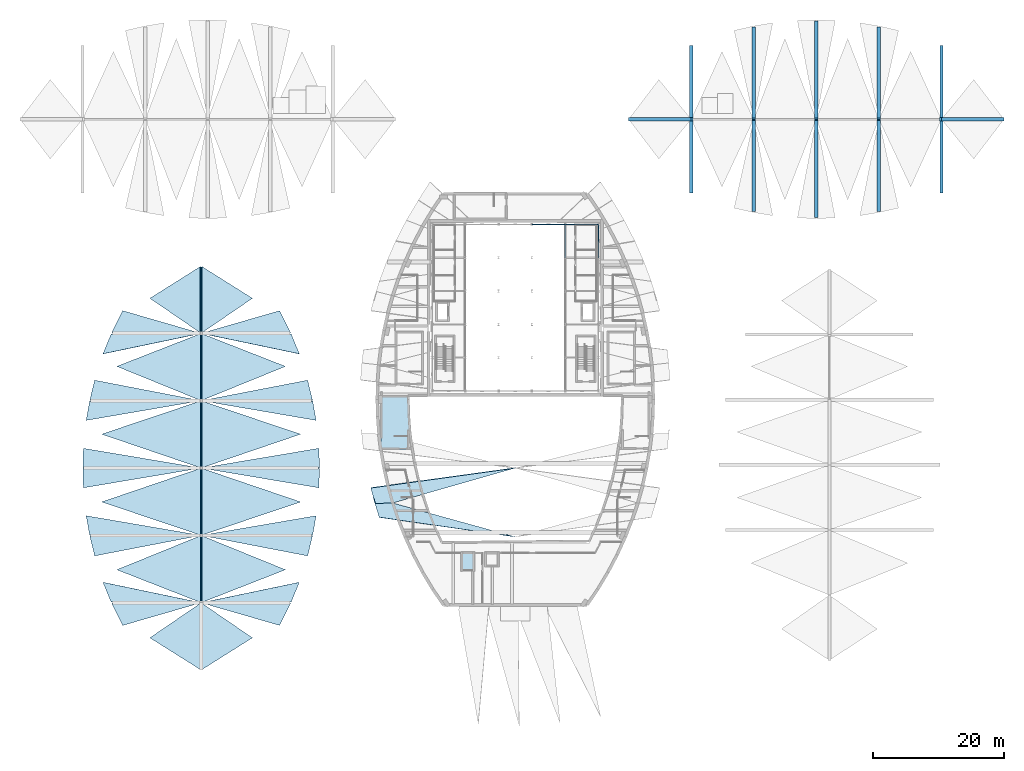
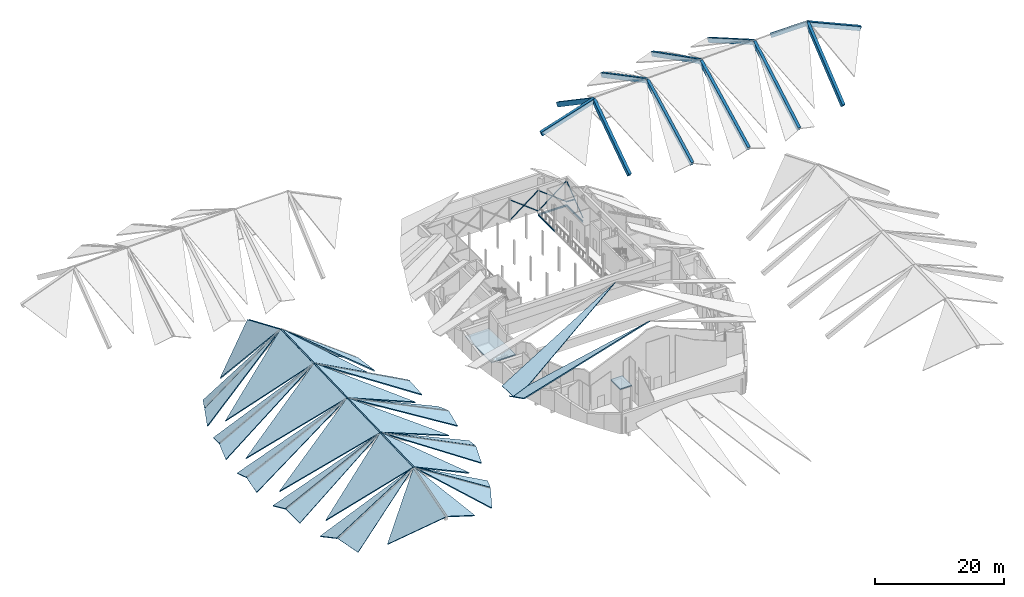
# One storey, part 7 of 17: 36 slabs, 15 beams, 8 members.
"""IFC4 building model written with IfcOpenShell, lengths in metres."""

from ifc_helpers import new_model, si_unit, direction, frame, origin, origin_2d, place, context, subcontext, project, spatial, polyline, rectangle, hollow_circle, i_section, outline, extrude, material, layer, layer_set, material_profile, profile_set, type_object, element, save


model = new_model("IFC4")

# Units and contexts
model_context = context("Model", 3, precision=1e-05, world=origin(), true_north=direction((0.0, 1.0)))
body_context = subcontext(model_context, "Body", "Model", "MODEL_VIEW")
ifc_project = project(units=[si_unit("LENGTHUNIT", "METRE"), si_unit("AREAUNIT", "SQUARE_METRE"), si_unit("VOLUMEUNIT", "CUBIC_METRE"), si_unit("PLANEANGLEUNIT", "RADIAN"), si_unit("MASSUNIT", "GRAM", prefix="KILO")], contexts=[model_context])

# Site, building, storey
site_placement = place(None, origin())
site = spatial("IfcSite", under=ifc_project, at=site_placement, CompositionType="ELEMENT")
building_placement = place(site_placement, origin())
building = spatial("IfcBuilding", under=site, at=building_placement, Name="Tide Square Theatres", CompositionType="ELEMENT")
storey_placement = place(building_placement, frame((0.0, 0.0, 14.800048828125)))
storey = spatial("IfcBuildingStorey", under=building, at=storey_placement, Name="L03", CompositionType="ELEMENT", Elevation=14.800048828125)

# Beams
ifc_material_1 = material(Name="Concrete C40", Category="concrete")
ifc_material_profile_1 = material_profile(ifc_material_1, rectangle(XDim=0.5, YDim=0.800048828125, at=origin_2d()))
ifc_profile_set_1 = profile_set([ifc_material_profile_1], Name="Concrete C40")
beam_type_1 = type_object("IfcBeamType", Name="RC roof rib 500 x 800", PredefinedType="BEAM", material=ifc_profile_set_1)
beam_1_placement = place(storey_placement, frame((110.88037109375, 86.758056640625, -2.626953125), z_axis=(0.0, 0.827229494575, 0.561864185819), x_axis=(-1.0, 0.0, 0.0)))
element("IfcBeam", 1, at=beam_1_placement, inside=storey, type_object=beam_type_1, Name="Roof rib rehearsal R1", PredefinedType="BEAM", context=body_context, shape_type="SweptSolid", body=[
    extrude(rectangle(XDim=0.5, YDim=0.800048828125, at=origin_2d()), origin(), (0.0, 0.0, 1.0), 13.3779296875),
])
beam_2_placement = place(storey_placement, frame((120.440185546875, 83.879638671875, -2.114013671875), z_axis=(0.0, 0.884723074021, 0.466117026394), x_axis=(-1.0, 0.0, 0.0)))
element("IfcBeam", 2, at=beam_2_placement, inside=storey, type_object=beam_type_1, Name="Roof rib rehearsal R2", PredefinedType="BEAM", context=body_context, shape_type="SweptSolid", body=[
    extrude(rectangle(XDim=0.5, YDim=0.800048828125, at=origin_2d()), origin(), (0.0, 0.0, 1.0), 15.718994140625),
])
beam_3_placement = place(storey_placement, frame((130.0, 82.962890625, -2.030517578125), z_axis=(0.0, 0.89112328825, 0.453761264476), x_axis=(-1.0, 0.0, 0.0)))
element("IfcBeam", 3, at=beam_3_placement, inside=storey, type_object=beam_type_1, Name="Roof rib rehearsal R3", PredefinedType="BEAM", context=body_context, shape_type="SweptSolid", body=[
    extrude(rectangle(XDim=0.5, YDim=0.800048828125, at=origin_2d()), origin(), (0.0, 0.0, 1.0), 16.629150390625),
])
beam_4_placement = place(storey_placement, frame((139.559814453125, 83.892822265625, -2.212890625), z_axis=(0.0, 0.866417696841, 0.499319912081), x_axis=(-1.0, 0.0, 0.0)))
element("IfcBeam", 4, at=beam_4_placement, inside=storey, type_object=beam_type_1, Name="Roof rib rehearsal R4", PredefinedType="BEAM", context=body_context, shape_type="SweptSolid", body=[
    extrude(rectangle(XDim=0.5, YDim=0.800048828125, at=origin_2d()), origin(), (0.0, 0.0, 1.0), 16.051025390625),
])
beam_5_placement = place(storey_placement, frame((149.11962890625, 86.78564453125, -2.902099609375), z_axis=(0.0, 0.775944845703, 0.630800758106), x_axis=(-1.0, 0.0, 0.0)))
element("IfcBeam", 5, at=beam_5_placement, inside=storey, type_object=beam_type_1, Name="Roof rib rehearsal R5", PredefinedType="BEAM", context=body_context, shape_type="SweptSolid", body=[
    extrude(rectangle(XDim=0.5, YDim=0.800048828125, at=origin_2d()), origin(), (0.0, 0.0, 1.0), 14.26220703125),
])
beam_6_placement = place(storey_placement, frame((110.88037109375, 108.842041015625, -2.626953125), z_axis=(0.0, -0.827229494575, 0.561864185819), x_axis=(1.0, 0.0, 0.0)))
element("IfcBeam", 6, at=beam_6_placement, inside=storey, type_object=beam_type_1, Name="Roof rib rehearsal L1", PredefinedType="BEAM", context=body_context, shape_type="SweptSolid", body=[
    extrude(rectangle(XDim=0.5, YDim=0.800048828125, at=origin_2d()), origin(), (0.0, 0.0, 1.0), 13.3779296875),
])
beam_7_placement = place(storey_placement, frame((120.440185546875, 111.720458984375, -2.114013671875), z_axis=(0.0, -0.884723074021, 0.466117026394), x_axis=(1.0, 0.0, 0.0)))
element("IfcBeam", 7, at=beam_7_placement, inside=storey, type_object=beam_type_1, Name="Roof rib rehearsal L2", PredefinedType="BEAM", context=body_context, shape_type="SweptSolid", body=[
    extrude(rectangle(XDim=0.5, YDim=0.800048828125, at=origin_2d()), origin(), (0.0, 0.0, 1.0), 15.718994140625),
])
beam_8_placement = place(storey_placement, frame((130.0, 112.63720703125, -2.030517578125), z_axis=(0.0, -0.89112328825, 0.453761264476), x_axis=(1.0, 0.0, 0.0)))
element("IfcBeam", 8, at=beam_8_placement, inside=storey, type_object=beam_type_1, Name="Roof rib rehearsal L3", PredefinedType="BEAM", context=body_context, shape_type="SweptSolid", body=[
    extrude(rectangle(XDim=0.5, YDim=0.800048828125, at=origin_2d()), origin(), (0.0, 0.0, 1.0), 16.629150390625),
])
beam_9_placement = place(storey_placement, frame((139.559814453125, 111.707275390625, -2.212890625), z_axis=(0.0, -0.866417696841, 0.499319912081), x_axis=(1.0, 0.0, 0.0)))
element("IfcBeam", 9, at=beam_9_placement, inside=storey, type_object=beam_type_1, Name="Roof rib rehearsal L4", PredefinedType="BEAM", context=body_context, shape_type="SweptSolid", body=[
    extrude(rectangle(XDim=0.5, YDim=0.800048828125, at=origin_2d()), origin(), (0.0, 0.0, 1.0), 16.051025390625),
])
beam_10_placement = place(storey_placement, frame((149.11962890625, 108.814453125, -2.902099609375), z_axis=(0.0, -0.775944845703, 0.630800758106), x_axis=(1.0, 0.0, 0.0)))
element("IfcBeam", 10, at=beam_10_placement, inside=storey, type_object=beam_type_1, Name="Roof rib rehearsal L5", PredefinedType="BEAM", context=body_context, shape_type="SweptSolid", body=[
    extrude(rectangle(XDim=0.5, YDim=0.800048828125, at=origin_2d()), origin(), (0.0, 0.0, 1.0), 14.26220703125),
])
ifc_material_2 = material(Name="Concrete C40", Category="concrete")
ifc_material_profile_2 = material_profile(ifc_material_2, rectangle(XDim=0.5, YDim=0.800048828125, at=origin_2d()))
ifc_profile_set_2 = profile_set([ifc_material_profile_2], Name="Concrete C40")
beam_type_2 = type_object("IfcBeamType", Name="RC roof ridge beam 500 x 800", PredefinedType="BEAM", material=ifc_profile_set_2)
beam_11_placement = place(storey_placement, frame((101.44287109375, 97.800048828125, 1.81298828125), z_axis=(0.951554137263, 0.0, 0.307481257735), x_axis=(0.0, 1.0, 0.0)))
element("IfcBeam", 11, at=beam_11_placement, inside=storey, type_object=beam_type_2, Name="Ridge beam rehearsal", PredefinedType="BEAM", context=body_context, shape_type="SweptSolid", body=[
    extrude(rectangle(XDim=0.5, YDim=0.800048828125, at=origin_2d()), origin(), (0.0, 0.0, 1.0), 10.04736328125),
])
beam_12_placement = place(storey_placement, frame((148.957763671875, 97.800048828125, 6.04736328125), z_axis=(0.914256751712, 0.0, -0.40513527611), x_axis=(0.0, 1.0, 0.0)))
element("IfcBeam", 12, at=beam_12_placement, inside=storey, type_object=beam_type_2, Name="Ridge beam rehearsal", PredefinedType="BEAM", context=body_context, shape_type="SweptSolid", body=[
    extrude(rectangle(XDim=0.5, YDim=0.800048828125, at=origin_2d()), origin(), (0.0, 0.0, 1.0), 10.457275390625),
])
ifc_material_3 = material(Name="Steel ASTM A572 Grade 50", Category="steel")
ifc_material_profile_3 = material_profile(ifc_material_3, i_section(OverallWidth=0.1650390625, OverallDepth=0.31005859375, WebThickness=0.005859375, FlangeThickness=0.009765625, FilletRadius=0.010009765625, at=origin_2d()))
ifc_profile_set_3 = profile_set([ifc_material_profile_3], Name="Steel ASTM A572 Grade 50")
beam_type_3 = type_object("IfcBeamType", Name="Steel beam W 310 x 38.7", PredefinedType="BEAM", material=ifc_profile_set_3)
for number, where, z_axis, x_axis, name in (
    (13, (91.634521484375, 76.634521484375, -0.35498046875), (0.0, 1.0, 0.0), (-1.0, 0.0, 0.0), "Fly gallery beam"),
    (14, (96.72412109375, 76.634521484375, -0.35498046875), (0.0, 1.0, 0.0), (-1.0, 0.0, 0.0), "Fly gallery beam"),
    (15, (91.634521484375, 81.72412109375, -0.35498046875), (1.0, 0.0, 0.0), (0.0, 1.0, 0.0), "Fly gallery cross beam"),
):
    element("IfcBeam", number, at=place(storey_placement, frame(where, z_axis=z_axis, x_axis=x_axis)), inside=storey, type_object=beam_type_3, Name=name, PredefinedType="BEAM", context=body_context, shape_type="SweptSolid", body=[
        extrude(i_section(OverallWidth=0.1650390625, OverallDepth=0.31005859375, WebThickness=0.005859375, FlangeThickness=0.009765625, FilletRadius=0.010009765625, at=origin_2d()), origin(), (0.0, 0.0, 1.0), 5.089599609375),
    ])

# Members
ifc_material_4 = material(Name="Steel ASTM A500 Grade C", Category="steel")
ifc_material_profile_4 = material_profile(ifc_material_4, hollow_circle(Radius=0.084228515625, WallThickness=0.008056640625, at=origin_2d()))
ifc_profile_set_4 = profile_set([ifc_material_profile_4], Name="Steel ASTM A500 Grade C")
member_type = type_object("IfcMemberType", Name="Steel brace CHS 168.3 x 8.0", PredefinedType="BRACE", material=ifc_profile_set_4)
member_1_placement = place(storey_placement, frame((86.544921875, 81.72412109375, 0.349853515625), z_axis=(0.793747901786, 0.0, 0.608246881135), x_axis=(0.0, 1.0, 0.0)))
element("IfcMember", 16, at=member_1_placement, inside=storey, type_object=member_type, Name="Fly tower brace", PredefinedType="BRACE", context=body_context, shape_type="SweptSolid", body=[
    extrude(hollow_circle(Radius=0.084228515625, WallThickness=0.008056640625, at=origin_2d()), origin(), (0.0, 0.0, 1.0), 6.412109375),
])
for number, where, z_axis, x_axis, name in (
    (17, (91.634521484375, 81.72412109375, 0.349853515625), (-0.793761905618, 0.0, 0.608228606027), (0.0, -1.0, 0.0), "Fly tower brace"),
    (18, (89.0107421875, 81.72412109375, 2.3603515625), (-0.793732831925, 0.0, 0.608266546445), (0.0, -1.0, 0.0), "Fly tower brace"),
):
    element("IfcMember", number, at=place(storey_placement, frame(where, z_axis=z_axis, x_axis=x_axis)), inside=storey, type_object=member_type, Name=name, PredefinedType="BRACE", context=body_context, shape_type="SweptSolid", body=[
        extrude(hollow_circle(Radius=0.084228515625, WallThickness=0.008056640625, at=origin_2d()), origin(), (0.0, 0.0, 1.0), 3.106689453125),
    ])
member_2_placement = place(storey_placement, frame((91.634521484375, 81.72412109375, 0.349853515625), z_axis=(0.793747901786, 0.0, 0.608246881135), x_axis=(0.0, 1.0, 0.0)))
element("IfcMember", 19, at=member_2_placement, inside=storey, type_object=member_type, Name="Fly tower brace", PredefinedType="BRACE", context=body_context, shape_type="SweptSolid", body=[
    extrude(hollow_circle(Radius=0.084228515625, WallThickness=0.008056640625, at=origin_2d()), origin(), (0.0, 0.0, 1.0), 6.412109375),
])
for number, where, z_axis, x_axis, name in (
    (20, (96.72412109375, 81.72412109375, 0.349853515625), (-0.793761905618, 0.0, 0.608228606027), (0.0, -1.0, 0.0), "Fly tower brace"),
    (21, (94.100341796875, 81.72412109375, 2.3603515625), (-0.793732831925, 0.0, 0.608266546445), (0.0, -1.0, 0.0), "Fly tower brace"),
):
    element("IfcMember", number, at=place(storey_placement, frame(where, z_axis=z_axis, x_axis=x_axis)), inside=storey, type_object=member_type, Name=name, PredefinedType="BRACE", context=body_context, shape_type="SweptSolid", body=[
        extrude(hollow_circle(Radius=0.084228515625, WallThickness=0.008056640625, at=origin_2d()), origin(), (0.0, 0.0, 1.0), 3.106689453125),
    ])
member_3_placement = place(storey_placement, frame((96.72412109375, 76.634521484375, 0.349853515625), z_axis=(0.0, 0.793747901786, 0.608246881135), x_axis=(-1.0, 0.0, 0.0)))
element("IfcMember", 22, at=member_3_placement, inside=storey, type_object=member_type, Name="Fly tower brace", PredefinedType="BRACE", context=body_context, shape_type="SweptSolid", body=[
    extrude(hollow_circle(Radius=0.084228515625, WallThickness=0.008056640625, at=origin_2d()), origin(), (0.0, 0.0, 1.0), 6.412109375),
])
member_4_placement = place(storey_placement, frame((96.72412109375, 81.72412109375, 0.349853515625), z_axis=(0.0, -0.793761905618, 0.608228606027), x_axis=(1.0, 0.0, 0.0)))
element("IfcMember", 23, at=member_4_placement, inside=storey, type_object=member_type, Name="Fly tower brace", PredefinedType="BRACE", context=body_context, shape_type="SweptSolid", body=[
    extrude(hollow_circle(Radius=0.084228515625, WallThickness=0.008056640625, at=origin_2d()), origin(), (0.0, 0.0, 1.0), 3.106689453125),
])

# Slabs
ifc_material_5 = material(Name="Concrete C40", Category="concrete")
ifc_layer = layer(ifc_material_5, 0.199951171875)
ifc_layer_set = layer_set([ifc_layer], Name="Concrete C40")
slab_type = type_object("IfcSlabType", Name="RC roof slab 200", PredefinedType="ROOF", material=ifc_layer_set)
slab_1_placement = place(storey_placement, frame((0.0, 0.0, 2.23193359375)))
element("IfcSlab", 24, at=slab_1_placement, inside=storey, type_object=slab_type, Name="Main Theatre stair 3 head cover", PredefinedType="ROOF", context=body_context, shape_type="SweptSolid", body=[
    extrude(outline(polyline([(67.75, 47.35009765625), (67.75, 55.550048828125), (63.449951171875, 55.550048828125), (63.449951171875, 47.35009765625), (67.75, 47.35009765625)])), origin(), (0.0, 0.0, 1.0), 0.199951171875),
])
slab_2_placement = place(storey_placement, frame((0.0, 0.0, 4.199951171875)))
element("IfcSlab", 25, at=slab_2_placement, inside=storey, type_object=slab_type, Name="Main Theatre lift 1 overrun cover", PredefinedType="ROOF", context=body_context, shape_type="SweptSolid", body=[
    extrude(outline(polyline([(75.699951171875, 28.699951171875), (77.800048828125, 28.699951171875), (77.800048828125, 31.699951171875), (75.699951171875, 31.699951171875), (75.699951171875, 28.699951171875)])), origin(), (0.0, 0.0, 1.0), 0.199951171875),
])
slab_3_placement = place(storey_placement, frame((63.203857421875, 36.976318359375, 1.993896484375), z_axis=(-0.37525711257, 0.187021017121, 0.907857499072), x_axis=(0.9065723659, -0.130045305354, 0.401515583685)))
element("IfcSlab", 26, at=slab_3_placement, inside=storey, type_object=slab_type, Name="Roof plate main-P036", PredefinedType="ROOF", context=body_context, shape_type="SweptSolid", body=[
    extrude(outline(polyline([(0.0, 0.0), (22.93929228416666, -2.220446049250313e-16), (1.7567923258784863, 2.4791906815925815), (-1.1271936087778216, 2.0170179055236694), (-1.5808955957671817, 2.869843383098181), (-1.6394618866973165, 2.876581958921946), (0.0, 0.0)])), origin(), (0.0, 0.0, -1.0), 0.199951171875),
])
slab_4_placement = place(storey_placement, frame((65.275390625, 39.161865234375, 2.39990234375), z_axis=(-0.338972301483, -0.386358856644, 0.857802199065), x_axis=(0.859006876979, 0.244736510805, 0.449679025064)))
element("IfcSlab", 27, at=slab_4_placement, inside=storey, type_object=slab_type, Name="Roof plate main-P037", PredefinedType="ROOF", context=body_context, shape_type="SweptSolid", body=[
    extrude(outline(polyline([(0.0, 0.0), (21.798032663737413, 0.0), (-2.4587281986904888, 3.2509730877770022), (-2.836544528929234, 0.6964148717375012), (0.0, 0.0)])), origin(), (0.0, 0.0, -1.0), 0.199951171875),
])
slab_5_placement = place(storey_placement, frame((47.988525390625, 20.449951171875, -3.4169921875), z_axis=(0.468672272874, -0.485749990862, 0.737830093596), x_axis=(0.426702133346, 0.855823775735, 0.29238836209)))
element("IfcSlab", 28, at=slab_5_placement, inside=storey, type_object=slab_type, Name="Roof plate studio-P004", PredefinedType="ROOF", context=body_context, shape_type="SweptSolid", body=[
    extrude(outline(polyline([(0.0, 0.0), (3.935296047348664, -2.220446049250313e-16), (0.7265968441241593, 15.444831282415933), (0.0, 0.0)])), origin(), (0.0, 0.0, -1.0), 0.199951171875),
])
slab_6_placement = place(storey_placement, frame((43.84228515625, 18.560546875, -2.199951171875), z_axis=(0.651595975269, -0.221753880571, 0.72542946002), x_axis=(-0.609400999049, 0.416455552516, 0.674681550909)))
element("IfcSlab", 29, at=slab_6_placement, inside=storey, type_object=slab_type, Name="Roof plate studio-P005", PredefinedType="ROOF", context=body_context, shape_type="SweptSolid", body=[
    extrude(outline(polyline([(0.0, 0.0), (12.644492572658098, -8.881784197001252e-16), (6.348356063396421, 8.49387159074055), (0.0, 0.0)])), origin(), (0.0, 0.0, -1.0), 0.199951171875),
])
slab_7_placement = place(storey_placement, frame((51.00927734375, 27.05322265625, -3.302001953125), z_axis=(0.534953029003, 0.067392992864, 0.842189670605), x_axis=(-0.825191160696, -0.172274974231, 0.537941336544)))
element("IfcSlab", 30, at=slab_7_placement, inside=storey, type_object=slab_type, Name="Roof plate studio-P006", PredefinedType="ROOF", context=body_context, shape_type="SweptSolid", body=[
    extrude(outline(polyline([(0.0, 0.0), (17.596834097062573, -2.7755575615628914e-16), (2.1096467530396272, 2.7149119568658784), (0.0, 0.0)])), origin(), (0.0, 0.0, -1.0), 0.199951171875),
])
slab_8_placement = place(storey_placement, frame((52.271484375, 31.071533203125, -2.81201171875), z_axis=(0.413081699486, -0.384474291049, 0.82555619377), x_axis=(0.224205609058, 0.921546126629, 0.316993030463)))
element("IfcSlab", 31, at=slab_8_placement, inside=storey, type_object=slab_type, Name="Roof plate studio-P009", PredefinedType="ROOF", context=body_context, shape_type="SweptSolid", body=[
    extrude(outline(polyline([(0.0, 0.0), (3.317920936507632, 0.0), (2.22930292563222, 18.52642617951288), (0.0, 0.0)])), origin(), (0.0, 0.0, -1.0), 0.199951171875),
])
slab_9_placement = place(storey_placement, frame((48.8974609375, 28.963623046875, -2.199951171875), z_axis=(0.564910395491, -0.024747382177, 0.824781069219), x_axis=(-0.77815830289, 0.316529143457, 0.542474844564)))
element("IfcSlab", 32, at=slab_9_placement, inside=storey, type_object=slab_type, Name="Roof plate studio-P010", PredefinedType="ROOF", context=body_context, shape_type="SweptSolid", body=[
    extrude(outline(polyline([(0.0, 0.0), (16.42186242347185, 8.881784197001252e-16), (13.028801385626348, 9.618997535858414), (0.0, 0.0)])), origin(), (0.0, 0.0, -1.0), 0.199951171875),
])
slab_10_placement = place(storey_placement, frame((53.572265625, 37.22021484375, -2.776123046875), z_axis=(0.436076925985, 0.224284473177, 0.871512128266), x_axis=(-0.868488221107, -0.148785921441, 0.472854057167)))
element("IfcSlab", 33, at=slab_10_placement, inside=storey, type_object=slab_type, Name="Roof plate studio-P011", PredefinedType="ROOF", context=body_context, shape_type="SweptSolid", body=[
    extrude(outline(polyline([(0.0, 0.0), (19.69062308865556, 6.661338147750939e-16), (1.370313892754715, 2.8302435776794734), (0.0, 0.0)])), origin(), (0.0, 0.0, -1.0), 0.199951171875),
])
slab_11_placement = place(storey_placement, frame((54.002685546875, 41.474853515625, -2.70556640625), z_axis=(0.414457586725, -0.308595336513, 0.856150586689), x_axis=(0.028122855545, 0.944647496788, 0.326879506558)))
element("IfcSlab", 34, at=slab_11_placement, inside=storey, type_object=slab_type, Name="Roof plate studio-P014", PredefinedType="ROOF", context=body_context, shape_type="SweptSolid", body=[
    extrude(outline(polyline([(0.0, 0.0), (3.1339195084042943, 5.551115123125783e-17), (5.437694222697501, 19.53545161106389), (0.0, 0.0)])), origin(), (0.0, 0.0, -1.0), 0.199951171875),
])
slab_12_placement = place(storey_placement, frame((51.2119140625, 39.324462890625, -2.199951171875), z_axis=(0.515051438965, -0.025714055191, 0.856773483825), x_axis=(-0.819364430149, 0.278768003326, 0.500929467019)))
element("IfcSlab", 35, at=slab_12_placement, inside=storey, type_object=slab_type, Name="Roof plate studio-P015", PredefinedType="ROOF", context=body_context, shape_type="SweptSolid", body=[
    extrude(outline(polyline([(0.0, 0.0), (18.43350676434998, 0.0), (15.431717315673602, 9.770937298625919), (0.0, 0.0)])), origin(), (0.0, 0.0, -1.0), 0.199951171875),
])
slab_13_placement = place(storey_placement, frame((54.002685546875, 47.525146484375, -2.70556640625), z_axis=(0.414457586725, 0.308595336513, 0.856150586689), x_axis=(-0.868777895342, -0.145992249985, 0.473192594521)))
element("IfcSlab", 36, at=slab_13_placement, inside=storey, type_object=slab_type, Name="Roof plate studio-P016", PredefinedType="ROOF", context=body_context, shape_type="SweptSolid", body=[
    extrude(outline(polyline([(0.0, 0.0), (20.27812585294254, -4.440892098500626e-16), (0.8403782543235462, 3.019141579127604), (0.0, 0.0)])), origin(), (0.0, 0.0, -1.0), 0.199951171875),
])
slab_14_placement = place(storey_placement, frame((53.572265625, 51.77978515625, -2.888671875), z_axis=(0.466381800904, -0.213779901153, 0.858362493151), x_axis=(-0.166362084127, 0.93184513789, 0.32247216307)))
element("IfcSlab", 37, at=slab_14_placement, inside=storey, type_object=slab_type, Name="Roof plate studio-P019", PredefinedType="ROOF", context=body_context, shape_type="SweptSolid", body=[
    extrude(outline(polyline([(0.0, 0.0), (3.1434399340026937, 0.0), (8.805342228314327, 17.994958759889695), (0.0, 0.0)])), origin(), (0.0, 0.0, -1.0), 0.199951171875),
])
slab_15_placement = place(storey_placement, frame((51.2119140625, 49.675537109375, -2.199951171875), z_axis=(0.52772761867, -0.025465679342, 0.849031836664), x_axis=(-0.813242297613, 0.273434217083, 0.513683457298)))
element("IfcSlab", 38, at=slab_15_placement, inside=storey, type_object=slab_type, Name="Roof plate studio-P020", PredefinedType="ROOF", context=body_context, shape_type="SweptSolid", body=[
    extrude(outline(polyline([(0.0, 0.0), (18.568972940881707, 2.220446049250313e-16), (15.618360819276408, 9.784721530128259), (0.0, 0.0)])), origin(), (0.0, 0.0, -1.0), 0.199951171875),
])
slab_16_placement = place(storey_placement, frame((52.271484375, 57.928466796875, -2.927490234375), z_axis=(0.440372025055, 0.386192999497, 0.810510608622), x_axis=(-0.833124674026, -0.160694025395, 0.529226518357)))
element("IfcSlab", 39, at=slab_16_placement, inside=storey, type_object=slab_type, Name="Roof plate studio-P021", PredefinedType="ROOF", context=body_context, shape_type="SweptSolid", body=[
    extrude(outline(polyline([(0.0, 0.0), (19.026053018163648, 4.440892098500626e-16), (0.42888141359849363, 3.2901153708493247), (0.0, 0.0)])), origin(), (0.0, 0.0, -1.0), 0.199951171875),
])
slab_17_placement = place(storey_placement, frame((51.00927734375, 61.94677734375, -3.61962890625), z_axis=(0.599400703683, -0.023656272844, 0.800099479552), x_axis=(-0.363501823913, 0.882505602244, 0.298412945463)))
element("IfcSlab", 40, at=slab_17_placement, inside=storey, type_object=slab_type, Name="Roof plate studio-P024", PredefinedType="ROOF", context=body_context, shape_type="SweptSolid", body=[
    extrude(outline(polyline([(0.0, 0.0), (3.4320559394168932, 1.1102230246251565e-16), (11.21705304543956, 14.626799572973688), (0.0, 0.0)])), origin(), (0.0, 0.0, -1.0), 0.199951171875),
])
slab_18_placement = place(storey_placement, frame((48.8974609375, 60.036376953125, -2.199951171875), z_axis=(0.603494174624, -0.023910455807, 0.797008827616), x_axis=(-0.757188419476, 0.296106717942, 0.582225479519)))
element("IfcSlab", 41, at=slab_18_placement, inside=storey, type_object=slab_type, Name="Roof plate studio-P025", PredefinedType="ROOF", context=body_context, shape_type="SweptSolid", body=[
    extrude(outline(polyline([(0.0, 0.0), (16.86601594086969, 4.440892098500626e-16), (13.671101888083875, 9.679668603867787), (0.0, 0.0)])), origin(), (0.0, 0.0, -1.0), 0.199951171875),
])
slab_19_placement = place(storey_placement, frame((47.988525390625, 68.550048828125, -3.7529296875), z_axis=(0.519966346613, 0.497892087448, 0.694073820027), x_axis=(-0.707253792906, -0.204694626494, 0.676677310321)))
element("IfcSlab", 42, at=slab_19_placement, inside=storey, type_object=slab_type, Name="Roof plate studio-P026", PredefinedType="ROOF", context=body_context, shape_type="SweptSolid", body=[
    extrude(outline(polyline([(0.0, 0.0), (16.440267302728294, -4.440892098500626e-16), (0.2849924771889716, 3.9240033014835944), (0.0, 0.0)])), origin(), (0.0, 0.0, -1.0), 0.199951171875),
])
slab_20_placement = place(storey_placement, frame((43.84228515625, 70.439453125, -2.199951171875), z_axis=(0.667280673396, 0.291706432697, 0.685305669052), x_axis=(-0.726643674526, 0.456927767695, 0.513036046862)))
element("IfcSlab", 43, at=slab_20_placement, inside=storey, type_object=slab_type, Name="Roof plate studio-P030", PredefinedType="ROOF", context=body_context, shape_type="SweptSolid", body=[
    extrude(outline(polyline([(0.0, 0.0), (10.59962221857955, 0.0), (8.18867724359619, 10.716330380974727), (0.0, 0.0)])), origin(), (0.0, 0.0, -1.0), 0.199951171875),
])
slab_21_placement = place(storey_placement, frame((24.011474609375, 20.449951171875, -3.4169921875), z_axis=(-0.468672272874, -0.485749990862, 0.737830093596), x_axis=(0.752573785865, 0.217820388905, 0.621439437923)))
element("IfcSlab", 44, at=slab_21_placement, inside=storey, type_object=slab_type, Name="Roof plate studio-P034", PredefinedType="ROOF", context=body_context, shape_type="SweptSolid", body=[
    extrude(outline(polyline([(0.0, 0.0), (15.461913087201888, 0.0), (0.18493013591342522, 3.930948463807311), (0.0, 0.0)])), origin(), (0.0, 0.0, -1.0), 0.199951171875),
])
slab_22_placement = place(storey_placement, frame((28.15771484375, 18.560546875, -2.199951171875), z_axis=(-0.651595975269, -0.221753880571, 0.72542946002), x_axis=(0.726657407857, -0.456917904959, 0.51302537923)))
element("IfcSlab", 45, at=slab_22_placement, inside=storey, type_object=slab_type, Name="Roof plate studio-P035", PredefinedType="ROOF", context=body_context, shape_type="SweptSolid", body=[
    extrude(outline(polyline([(0.0, 0.0), (10.60412557958701, 0.0), (7.56985953153257, 10.128199202862833), (0.0, 0.0)])), origin(), (0.0, 0.0, -1.0), 0.199951171875),
])
slab_23_placement = place(storey_placement, frame((20.99072265625, 27.05322265625, -3.302001953125), z_axis=(-0.534953029003, 0.067392992864, 0.842189670605), x_axis=(0.363134173503, -0.881704542899, 0.301215323426)))
element("IfcSlab", 46, at=slab_23_placement, inside=storey, type_object=slab_type, Name="Roof plate studio-P036", PredefinedType="ROOF", context=body_context, shape_type="SweptSolid", body=[
    extrude(outline(polyline([(0.0, 0.0), (3.4382199400480404, 5.551115123125783e-17), (10.797187080511884, 13.894938696805077), (0.0, 0.0)])), origin(), (0.0, 0.0, -1.0), 0.199951171875),
])
slab_24_placement = place(storey_placement, frame((19.728515625, 31.071533203125, -2.81201171875), z_axis=(-0.413081699486, -0.384474291049, 0.82555619377), x_axis=(0.849556413957, 0.163858816448, 0.501402221552)))
element("IfcSlab", 47, at=slab_24_placement, inside=storey, type_object=slab_type, Name="Roof plate studio-P039", PredefinedType="ROOF", context=body_context, shape_type="SweptSolid", body=[
    extrude(outline(polyline([(0.0, 0.0), (18.66007123564036, 8.881784197001252e-16), (0.39638920759559604, 3.294157697654655), (0.0, 0.0)])), origin(), (0.0, 0.0, -1.0), 0.199951171875),
])
slab_25_placement = place(storey_placement, frame((23.1025390625, 28.963623046875, -2.199951171875), z_axis=(-0.564910395491, -0.024747382177, 0.824781069219), x_axis=(0.789063764586, -0.308573348311, 0.531188162641)))
element("IfcSlab", 48, at=slab_25_placement, inside=storey, type_object=slab_type, Name="Roof plate studio-P040", PredefinedType="ROOF", context=body_context, shape_type="SweptSolid", body=[
    extrude(outline(polyline([(0.0, 0.0), (16.194899787925497, 1.5543122344752192e-15), (13.211392889075874, 9.75380250906856), (0.0, 0.0)])), origin(), (0.0, 0.0, -1.0), 0.199951171875),
])
slab_26_placement = place(storey_placement, frame((18.427734375, 37.22021484375, -2.776123046875), z_axis=(-0.436076925985, 0.224284473177, 0.871512128266), x_axis=(0.166304666613, -0.931678804554, 0.322981985579)))
element("IfcSlab", 49, at=slab_26_placement, inside=storey, type_object=slab_type, Name="Roof plate studio-P041", PredefinedType="ROOF", context=body_context, shape_type="SweptSolid", body=[
    extrude(outline(polyline([(0.0, 0.0), (3.144525222298668, -5.551115123125783e-17), (8.580733963920066, 17.72263079398553), (0.0, 0.0)])), origin(), (0.0, 0.0, -1.0), 0.199951171875),
])
slab_27_placement = place(storey_placement, frame((17.997314453125, 41.474853515625, -2.70556640625), z_axis=(-0.414457586725, -0.308595336513, 0.856150586689), x_axis=(0.868777895342, 0.145992249985, 0.473192594521)))
element("IfcSlab", 50, at=slab_27_placement, inside=storey, type_object=slab_type, Name="Roof plate studio-P044", PredefinedType="ROOF", context=body_context, shape_type="SweptSolid", body=[
    extrude(outline(polyline([(0.0, 0.0), (20.27812585294254, -4.440892098500626e-16), (0.8403782543235462, 3.019141579127604), (0.0, 0.0)])), origin(), (0.0, 0.0, -1.0), 0.199951171875),
])
slab_28_placement = place(storey_placement, frame((20.7880859375, 39.324462890625, -2.199951171875), z_axis=(-0.515051438965, -0.025714055191, 0.856773483825), x_axis=(0.826924987269, -0.278038740163, 0.488763260074)))
element("IfcSlab", 51, at=slab_28_placement, inside=storey, type_object=slab_type, Name="Roof plate studio-P045", PredefinedType="ROOF", context=body_context, shape_type="SweptSolid", body=[
    extrude(outline(polyline([(0.0, 0.0), (18.264969614114868, 6.661338147750939e-16), (15.574111073482397, 9.861097094247134), (0.0, 0.0)])), origin(), (0.0, 0.0, -1.0), 0.199951171875),
])
slab_29_placement = place(storey_placement, frame((17.997314453125, 47.525146484375, -2.70556640625), z_axis=(-0.414457586725, 0.308595336513, 0.856150586689), x_axis=(-0.028122855545, -0.944647496788, 0.326879506558)))
element("IfcSlab", 52, at=slab_29_placement, inside=storey, type_object=slab_type, Name="Roof plate studio-P046", PredefinedType="ROOF", context=body_context, shape_type="SweptSolid", body=[
    extrude(outline(polyline([(0.0, 0.0), (3.1339195084042943, 5.551115123125783e-17), (5.437694222697501, 19.53545161106389), (0.0, 0.0)])), origin(), (0.0, 0.0, -1.0), 0.199951171875),
])
slab_30_placement = place(storey_placement, frame((18.427734375, 51.77978515625, -2.888671875), z_axis=(-0.466381800904, -0.213779901153, 0.858362493151), x_axis=(0.85350201495, 0.146212961369, 0.50015605605)))
element("IfcSlab", 53, at=slab_30_placement, inside=storey, type_object=slab_type, Name="Roof plate studio-P049", PredefinedType="ROOF", context=body_context, shape_type="SweptSolid", body=[
    extrude(outline(polyline([(0.0, 0.0), (20.033786275386547, -2.220446049250313e-16), (1.3816192312608395, 2.823533764362146), (0.0, 0.0)])), origin(), (0.0, 0.0, -1.0), 0.199951171875),
])
slab_31_placement = place(storey_placement, frame((20.7880859375, 49.675537109375, -2.199951171875), z_axis=(-0.52772761867, -0.025465679342, 0.849031836664), x_axis=(0.81936367879, -0.27877758302, 0.500925364785)))
element("IfcSlab", 54, at=slab_31_placement, inside=storey, type_object=slab_type, Name="Roof plate studio-P050", PredefinedType="ROOF", context=body_context, shape_type="SweptSolid", body=[
    extrude(outline(polyline([(0.0, 0.0), (18.430246067355256, 2.220446049250313e-16), (15.735922264638983, 9.858372409299422), (0.0, 0.0)])), origin(), (0.0, 0.0, -1.0), 0.199951171875),
])
slab_32_placement = place(storey_placement, frame((19.728515625, 57.928466796875, -2.927490234375), z_axis=(-0.440372025055, 0.386192999497, 0.810510608622), x_axis=(-0.224130000071, -0.921464212375, 0.317284491237)))
element("IfcSlab", 55, at=slab_32_placement, inside=storey, type_object=slab_type, Name="Roof plate studio-P051", PredefinedType="ROOF", context=body_context, shape_type="SweptSolid", body=[
    extrude(outline(polyline([(0.0, 0.0), (3.3179509370135705, 1.1102230246251565e-16), (2.459325248785781, 18.866436143868267), (0.0, 0.0)])), origin(), (0.0, 0.0, -1.0), 0.199951171875),
])
slab_33_placement = place(storey_placement, frame((20.99072265625, 61.94677734375, -3.61962890625), z_axis=(-0.599400703683, -0.023656272844, 0.800099479552), x_axis=(0.787107754447, 0.16431687283, 0.594526154338)))
element("IfcSlab", 56, at=slab_33_placement, inside=storey, type_object=slab_type, Name="Roof plate studio-P054", PredefinedType="ROOF", context=body_context, shape_type="SweptSolid", body=[
    extrude(outline(polyline([(0.0, 0.0), (18.432730258215905, 2.220446049250313e-16), (2.088543204835102, 2.7234160998319545), (0.0, 0.0)])), origin(), (0.0, 0.0, -1.0), 0.199951171875),
])
slab_34_placement = place(storey_placement, frame((23.1025390625, 60.036376953125, -2.199951171875), z_axis=(-0.603494174624, -0.023910455807, 0.797008827616), x_axis=(0.762388781534, -0.310106216993, 0.567976654426)))
element("IfcSlab", 57, at=slab_34_placement, inside=storey, type_object=slab_type, Name="Roof plate studio-P055", PredefinedType="ROOF", context=body_context, shape_type="SweptSolid", body=[
    extrude(outline(polyline([(0.0, 0.0), (16.75097045293419, 4.440892098500626e-16), (13.764994871284443, 9.746148465480273), (0.0, 0.0)])), origin(), (0.0, 0.0, -1.0), 0.199951171875),
])
slab_35_placement = place(storey_placement, frame((24.011474609375, 68.550048828125, -3.7529296875), z_axis=(-0.519966346613, 0.497892087448, 0.694073820027), x_axis=(-0.42649567208, -0.855349388033, 0.294072892476)))
element("IfcSlab", 58, at=slab_35_placement, inside=storey, type_object=slab_type, Name="Roof plate studio-P056", PredefinedType="ROOF", context=body_context, shape_type="SweptSolid", body=[
    extrude(outline(polyline([(0.0, 0.0), (3.9343389053446405, -1.1102230246251565e-16), (1.1908868597691287, 16.39707832122498), (0.0, 0.0)])), origin(), (0.0, 0.0, -1.0), 0.199951171875),
])
slab_36_placement = place(storey_placement, frame((28.15771484375, 70.439453125, -2.199951171875), z_axis=(-0.667280673396, 0.291706432697, 0.685305669052), x_axis=(0.5710872868, -0.390264701918, 0.722186107103)))
element("IfcSlab", 59, at=slab_36_placement, inside=storey, type_object=slab_type, Name="Roof plate studio-P060", PredefinedType="ROOF", context=body_context, shape_type="SweptSolid", body=[
    extrude(outline(polyline([(0.0, 0.0), (13.486814740107912, 2.220446049250313e-16), (6.435684550027743, 8.422229844235993), (0.0, 0.0)])), origin(), (0.0, 0.0, -1.0), 0.199951171875),
])

save(model, "model.ifc")
